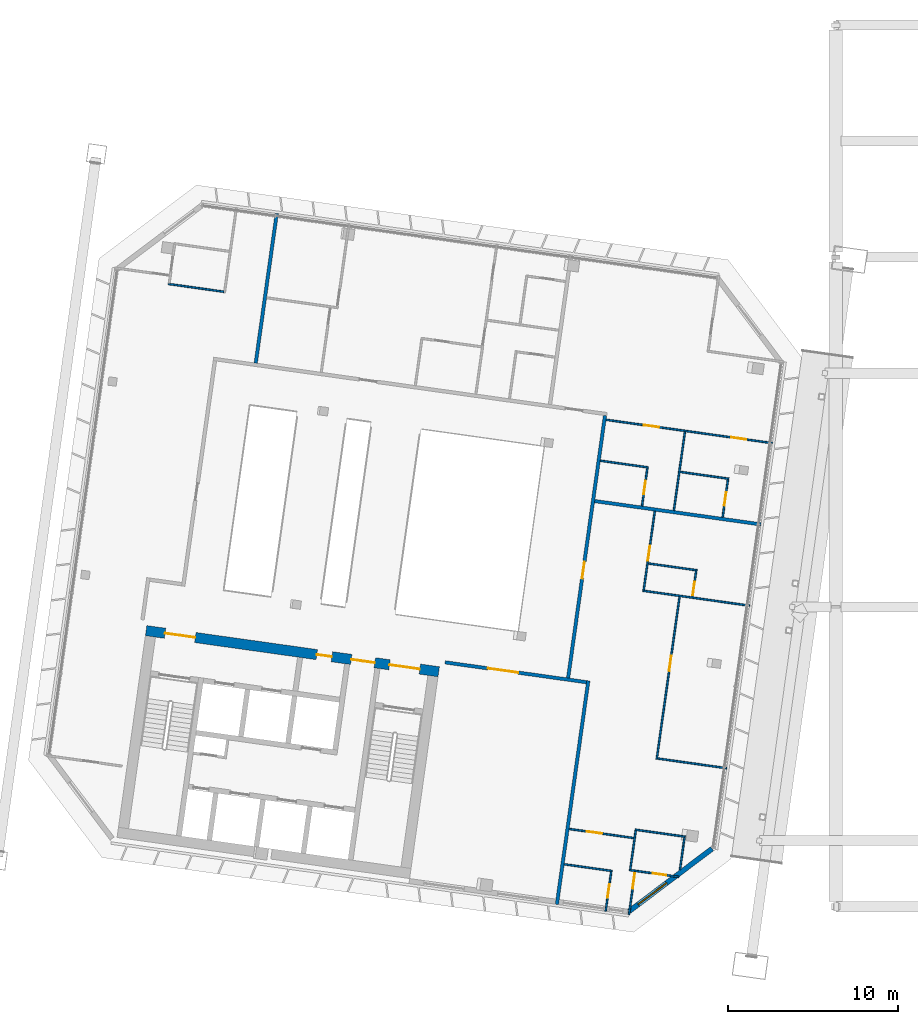
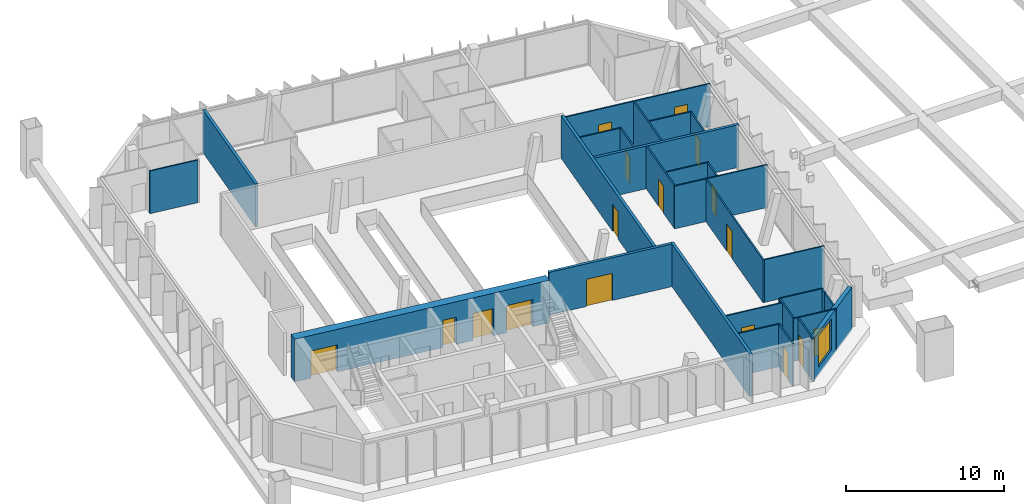
# One storey, part 22 of 36: 29 walls, 17 doors, 1 window, 18 openings.
"""IFC4 building model written with IfcOpenShell, lengths in metres."""

import ifcopenshell
import ifcopenshell.guid

model = None  # the IFC model being written
_history = None  # IfcOwnerHistory: only IFC2X3 demands one
_inside = {}  # id of a spatial element -> (the spatial element, [elements in it])
_under = {}  # id of a project, library or spatial element -> (it, [spatial elements below it])
_declared = {}  # id of a project -> (the project, [libraries it declares])
_typed = {}  # id of a type object -> (the type object, [elements of that type])
_made_of = {}  # id of a material, layer set ... -> (it, [elements and type objects made of it])


def new_model(schema):
    """Start an empty IFC model of exactly this schema.

    Asked for "IFC4X3", IfcOpenShell would pick the latest addendum, in which some entities
    have other attributes; the version numbers below select the first issue.
    IFC2X3 requires an IfcOwnerHistory on every rooted entity: one is made here for all.
    """
    global model, _history
    if schema == "IFC4X3":
        model = ifcopenshell.file(schema_version=(4, 3, 0, 0))
    else:
        model = ifcopenshell.file(schema=schema)
    _inside.clear()
    _under.clear()
    _declared.clear()
    _typed.clear()
    _made_of.clear()
    _history = None
    if model.schema == "IFC2X3":
        org = make("IfcOrganization", Name="unknown")
        user = make(
            "IfcPersonAndOrganization",
            ThePerson=make("IfcPerson", FamilyName="unknown"),
            TheOrganization=org,
        )
        app = make(
            "IfcApplication",
            ApplicationDeveloper=org,
            Version="unknown",
            ApplicationFullName="unknown",
            ApplicationIdentifier="unknown",
        )
        _history = make(
            "IfcOwnerHistory",
            OwningUser=user,
            OwningApplication=app,
            ChangeAction="ADDED",
            CreationDate=0,
        )
    return model


def make(cls, **values):
    """One entity of the class cls with the attributes given. An attribute that is None is left unset."""
    return model.create_entity(
        cls, **{name: value for name, value in values.items() if value is not None}
    )


def rooted(cls, **values):
    """An entity with a GlobalId (a new one), such as an element, a storey or a relation."""
    return make(cls, GlobalId=ifcopenshell.guid.new(), OwnerHistory=_history, **values)


def si_unit(unit_type, name, prefix=None):
    """IfcSIUnit, for example si_unit("LENGTHUNIT", "METRE", prefix="MILLI")."""
    return make("IfcSIUnit", UnitType=unit_type, Prefix=prefix, Name=name)


def assignment(units):
    """IfcUnitAssignment: the units of a project."""
    return None if units is None else make("IfcUnitAssignment", Units=units)


def point(xyz):
    """IfcCartesianPoint."""
    return None if xyz is None else make("IfcCartesianPoint", Coordinates=xyz)


def direction(xyz):
    """IfcDirection."""
    return None if xyz is None else make("IfcDirection", DirectionRatios=xyz)


def frame(location, z_axis=None, x_axis=None):
    """IfcAxis2Placement3D, a coordinate frame: its origin and axes. An axis left out is left unset."""
    return make(
        "IfcAxis2Placement3D",
        Location=point(location),
        Axis=direction(z_axis),
        RefDirection=direction(x_axis),
    )


def frame_2d(location, x_axis=None):
    """IfcAxis2Placement2D, a coordinate frame in the plane: its origin and x axis."""
    return make(
        "IfcAxis2Placement2D", Location=point(location), RefDirection=direction(x_axis)
    )


def origin():
    """The frame at (0, 0, 0) with its axes left unset."""
    return frame((0.0, 0.0, 0.0))


def place(relative_to, where):
    """IfcLocalPlacement: puts the frame where relative to a parent placement (None: the world)."""
    return make(
        "IfcLocalPlacement", PlacementRelTo=relative_to, RelativePlacement=where
    )


def context(
    kind, dimensions, precision=None, world=None, true_north=None, identifier=None
):
    """IfcGeometricRepresentationContext, for example the 3D "Model" context."""
    return make(
        "IfcGeometricRepresentationContext",
        ContextIdentifier=identifier,
        ContextType=kind,
        CoordinateSpaceDimension=dimensions,
        Precision=precision,
        WorldCoordinateSystem=world,
        TrueNorth=true_north,
    )


def subcontext(parent, identifier, kind, view, scale=None):
    """IfcGeometricRepresentationSubContext, for example "Body" below "Model"."""
    return make(
        "IfcGeometricRepresentationSubContext",
        ContextIdentifier=identifier,
        ContextType=kind,
        ParentContext=parent,
        TargetScale=scale,
        TargetView=view,
    )


def project(units=None, contexts=None):
    """IfcProject with its units and contexts."""
    return rooted(
        "IfcProject",
        Name="project",
        RepresentationContexts=contexts,
        UnitsInContext=assignment(units),
    )


def spatial(cls, under=None, at=None, **own):
    """A site, building, storey or space (cls), placed at a placement, below another one or the project."""
    s = rooted(cls, ObjectPlacement=at, **own)
    if under is not None:
        _under.setdefault(under.id(), (under, []))[1].append(s)
    return s


def profile(cls, at=None, kind="AREA", **sizes):
    """A parametric profile (cls). Its sizes go by their IFC names, for example OverallWidth=200.0."""
    return make(cls, ProfileType=kind, Position=at, **sizes)


def rectangle(**sizes):
    """IfcRectangleProfileDef."""
    return profile("IfcRectangleProfileDef", **sizes)


def extrude(swept, where, along, depth):
    """IfcExtrudedAreaSolid: the profile swept, set in the frame where, extruded along a direction by depth."""
    return make(
        "IfcExtrudedAreaSolid",
        SweptArea=swept,
        Position=where,
        ExtrudedDirection=direction(along),
        Depth=depth,
    )


def shape(context_of_items, identifier, shape_type, items):
    """IfcShapeRepresentation: the items that make up one representation, for example the "Body"."""
    return make(
        "IfcShapeRepresentation",
        ContextOfItems=context_of_items,
        RepresentationIdentifier=identifier,
        RepresentationType=shape_type,
        Items=items,
    )


def material(Name=None, Category=None):
    """IfcMaterial."""
    return make("IfcMaterial", Name=Name, Category=Category)


def layer(
    of_material, thickness, ventilated=None, Name=None, Category=None, Priority=None
):
    """IfcMaterialLayer: one layer of a wall or slab, of a material (None: an air gap)."""
    return make(
        "IfcMaterialLayer",
        Material=of_material,
        LayerThickness=thickness,
        IsVentilated=ventilated,
        Name=Name,
        Category=Category,
        Priority=Priority,
    )


def layer_set(layers, Name=None):
    """IfcMaterialLayerSet."""
    return make("IfcMaterialLayerSet", MaterialLayers=layers, LayerSetName=Name)


def made_of(thing, what):
    """Note that an element or type object is made of a material, layer set ...; save() writes the relation."""
    if what is not None:
        _made_of.setdefault(what.id(), (what, []))[1].append(thing)
    return thing


def type_object(cls, material=None, **own):
    """A type object (cls), such as IfcWallType, which elements share."""
    return made_of(rooted(cls, **own), material)


def element(
    cls,
    number,
    at=None,
    inside=None,
    cuts=None,
    type_object=None,
    material=None,
    context=None,
    identifier="Body",
    shape_type=None,
    held_by="IfcProductDefinitionShape",
    body=None,
    shapes=None,
    **own,
):
    """One element of the class cls, such as IfcWall. Its Tag is "e" and its number.

    at: its placement. inside: the storey or other place that contains it. cuts: it is an
    opening in that element (IfcRelVoidsElement). A single representation is given by context,
    identifier, shape_type and body (its items); several are given by shapes. held_by: the class
    of the entity that holds the representations. save() writes the other relations.
    """
    e = rooted(cls, Tag="e%d" % number, ObjectPlacement=at, **own)
    if body is not None:
        shapes = [shape(context, identifier, shape_type, body)]
    if shapes is not None:
        e.Representation = make(held_by, Representations=shapes)
    if inside is not None:
        _inside.setdefault(inside.id(), (inside, []))[1].append(e)
    if cuts is not None:
        rooted(
            "IfcRelVoidsElement", RelatingBuildingElement=cuts, RelatedOpeningElement=e
        )
    if type_object is not None:
        _typed.setdefault(type_object.id(), (type_object, []))[1].append(e)
    return made_of(e, material)


def fill(opening, filler):
    """IfcRelFillsElement: the door or window that sits in an opening."""
    return rooted(
        "IfcRelFillsElement",
        RelatingOpeningElement=opening,
        RelatedBuildingElement=filler,
    )


def aggregate(whole, parts):
    """IfcRelAggregates: a whole, such as a stair, and the parts it consists of."""
    return rooted("IfcRelAggregates", RelatingObject=whole, RelatedObjects=parts)


def save(model, path):
    """Write the relations noted so far, then the file.

    IfcRelAggregates (storeys below a building ...), IfcRelContainedInSpatialStructure (elements
    in a storey), IfcRelDefinesByType, IfcRelAssociatesMaterial and IfcRelDeclares: one each for
    every whole, place, type object, material and project.
    """
    for whole, parts in _under.values():
        aggregate(whole, parts)
    for where, things in _inside.values():
        rooted(
            "IfcRelContainedInSpatialStructure",
            RelatedElements=things,
            RelatingStructure=where,
        )
    for kind, things in _typed.values():
        rooted("IfcRelDefinesByType", RelatedObjects=things, RelatingType=kind)
    for what, things in _made_of.values():
        rooted("IfcRelAssociatesMaterial", RelatedObjects=things, RelatingMaterial=what)
    for by, libraries in _declared.values():
        rooted("IfcRelDeclares", RelatingContext=by, RelatedDefinitions=libraries)
    model.write(path)


model = new_model("IFC4")

# Units and contexts
model_context = context("Model", 3, precision=1e-05, world=origin(), true_north=direction((0.0, 1.0)))
body_context = subcontext(model_context, "Body", "Model", "MODEL_VIEW")
ifc_project = project(units=[si_unit("LENGTHUNIT", "METRE"), si_unit("AREAUNIT", "SQUARE_METRE"), si_unit("VOLUMEUNIT", "CUBIC_METRE"), si_unit("PLANEANGLEUNIT", "RADIAN"), si_unit("MASSUNIT", "GRAM", prefix="KILO")], contexts=[model_context])

# Site, building, storey
site_placement = place(None, origin())
site = spatial("IfcSite", under=ifc_project, at=site_placement, CompositionType="ELEMENT")
building_placement = place(site_placement, origin())
building = spatial("IfcBuilding", under=site, at=building_placement, Name="Mirante Cascada Hotel Towers", CompositionType="ELEMENT")
storey_placement = place(building_placement, frame((0.0, 0.0, 254.6)))
storey = spatial("IfcBuildingStorey", under=building, at=storey_placement, Name="L61", CompositionType="ELEMENT", Elevation=254.6)

# Wall, opening, door
ifc_material_1 = material(Name="Fire-rated plasterboard on metal studs")
ifc_layer_1 = layer(ifc_material_1, 0.2)
ifc_layer_set_1 = layer_set([ifc_layer_1], Name="Compartment wall 200 EI 120")
wall_type_1 = type_object("IfcWallType", Name="Compartment wall 200 EI 120", PredefinedType="PARTITIONING", material=ifc_layer_set_1)
wall_1_placement = place(storey_placement, frame((-35.2634, -7.1173, 0.0), z_axis=(0.0, 0.0, 1.0), x_axis=(0.9902688, -0.1391676, 0.0)))
wall_1 = element("IfcWall", 1, at=wall_1_placement, inside=storey, type_object=wall_type_1, Name="Wall 1-L61-07", PredefinedType="PARTITIONING", context=body_context, shape_type="SweptSolid", body=[
    extrude(rectangle(XDim=8.3999, YDim=0.2, at=frame_2d((4.2, 0.0))), origin(), (0.0, 0.0, 1.0), 3.3),
])
opening_1_placement = place(wall_1_placement, frame((2.55, 0.0, 0.0)))
opening_1 = element("IfcOpeningElement", 2, at=opening_1_placement, cuts=wall_1, Name="Opening D1-L61-04", PredefinedType="OPENING", context=body_context, shape_type="SweptSolid", body=[
    extrude(rectangle(XDim=1.8, YDim=2.1, at=frame_2d((0.9, 1.05))), frame((0.0, 0.1, 0.0), z_axis=(0.0, -1.0, 0.0), x_axis=(1.0, 0.0, 0.0)), (0.0, 0.0, 1.0), 0.2),
])
ifc_material_2 = material(Name="Fire-rated timber door leaf", Category="wood")
door_type_1 = type_object("IfcDoorType", Name="Suite double door DG2 1800x2100 EI 60", OperationType="DOUBLE_DOOR_SINGLE_SWING", PredefinedType="DOOR", material=ifc_material_2)
door_1_placement = place(opening_1_placement, origin())
door_1 = element("IfcDoor", 3, at=door_1_placement, inside=storey, type_object=door_type_1, Name="Door D1-L61-04", OperationType="DOUBLE_DOOR_SINGLE_SWING", OverallHeight=2.1, OverallWidth=1.8, PredefinedType="DOOR", context=body_context, shape_type="SweptSolid", body=[
    extrude(rectangle(XDim=0.895, YDim=2.1, at=frame_2d((0.4475, 1.05))), frame((0.0, 0.025, 0.0), z_axis=(0.0, -1.0, 0.0), x_axis=(1.0, 0.0, 0.0)), (0.0, 0.0, 1.0), 0.05),
    extrude(rectangle(XDim=0.895, YDim=2.1, at=frame_2d((1.3525, 1.05))), frame((0.0, 0.025, 0.0), z_axis=(0.0, -1.0, 0.0), x_axis=(1.0, 0.0, 0.0)), (0.0, 0.0, 1.0), 0.05),
])
fill(opening_1, door_1)

# Walls
wall_2_placement = place(storey_placement, frame((-26.4556, 2.3827, 0.0), z_axis=(0.0, 0.0, 1.0), x_axis=(0.9902671, -0.1391797, 0.0)))
element("IfcWall", 4, at=wall_2_placement, inside=storey, type_object=wall_type_1, Name="Wall 1-L61-11", PredefinedType="PARTITIONING", context=body_context, shape_type="SweptSolid", body=[
    extrude(rectangle(XDim=9.8879, YDim=0.2, at=frame_2d((4.944, 0.0))), origin(), (0.0, 0.0, 1.0), 3.3),
])
wall_3_placement = place(storey_placement, frame((-26.8322, -8.2012, 0.0), z_axis=(0.0, 0.0, 1.0), x_axis=(-0.1391726, -0.9902681, 0.0)))
element("IfcWall", 5, at=wall_3_placement, inside=storey, type_object=wall_type_1, Name="Wall 1-L61-37", PredefinedType="PARTITIONING", context=body_context, shape_type="SweptSolid", body=[
    extrude(rectangle(XDim=13.3, YDim=0.2, at=frame_2d((6.65, 0.0))), origin(), (0.0, 0.0, 1.0), 3.3),
])

# Wall, opening, door
wall_4_placement = place(storey_placement, frame((-28.0205, -8.0342, 0.0), z_axis=(0.0, 0.0, 1.0), x_axis=(0.1391729, 0.9902681, 0.0)))
wall_4 = element("IfcWall", 6, at=wall_4_placement, inside=storey, type_object=wall_type_1, Name="Wall 1-L61-38", PredefinedType="PARTITIONING", context=body_context, shape_type="SweptSolid", body=[
    extrude(rectangle(XDim=15.6, YDim=0.2, at=frame_2d((7.8, 0.0))), origin(), (0.0, 0.0, 1.0), 3.3),
])
opening_2_placement = place(wall_4_placement, frame((5.9167, 0.0, 0.0)))
opening_2 = element("IfcOpeningElement", 7, at=opening_2_placement, cuts=wall_4, Name="Opening D1-L61-21", PredefinedType="OPENING", context=body_context, shape_type="SweptSolid", body=[
    extrude(rectangle(XDim=1.0, YDim=2.1, at=frame_2d((0.5, 1.05))), frame((0.0, 0.1, 0.0), z_axis=(0.0, -1.0, 0.0), x_axis=(1.0, 0.0, 0.0)), (0.0, 0.0, 1.0), 0.2),
])
ifc_material_3 = material(Name="Fire-rated timber door leaf", Category="wood")
door_type_2 = type_object("IfcDoorType", Name="Entrance door DG1 1000x2100 EI 60", OperationType="SINGLE_SWING_LEFT", PredefinedType="DOOR", material=ifc_material_3)
door_2_placement = place(opening_2_placement, frame((1.0, 0.0, 0.0), z_axis=(0.0, 0.0, 1.0), x_axis=(-1.0, 0.0, 0.0)))
door_2 = element("IfcDoor", 8, at=door_2_placement, inside=storey, type_object=door_type_2, Name="Door D1-L61-21", OperationType="SINGLE_SWING_RIGHT", OverallHeight=2.1, OverallWidth=1.0, PredefinedType="DOOR", context=body_context, shape_type="SweptSolid", body=[
    extrude(rectangle(XDim=1.0, YDim=2.1, at=frame_2d((0.5, 1.05))), frame((0.0, 0.025, 0.0), z_axis=(0.0, -1.0, 0.0), x_axis=(1.0, 0.0, 0.0)), (0.0, 0.0, 1.0), 0.05),
])
fill(opening_2, door_2)

# Walls
wall_5_placement = place(storey_placement, frame((-46.4192, 10.5068, 0.0), z_axis=(0.0, 0.0, 1.0), x_axis=(0.1391794, 0.9902672, 0.0)))
element("IfcWall", 9, at=wall_5_placement, inside=storey, type_object=wall_type_1, Name="Wall 1-L61-46", PredefinedType="PARTITIONING", context=body_context, shape_type="SweptSolid", body=[
    extrude(rectangle(XDim=8.9, YDim=0.2, at=frame_2d((4.45, 0.0))), origin(), (0.0, 0.0, 1.0), 3.3),
])
ifc_material_4 = material(Name="Plasterboard on metal studs")
ifc_layer_2 = layer(ifc_material_4, 0.1)
ifc_layer_set_2 = layer_set([ifc_layer_2], Name="Partition 100")
wall_type_2 = type_object("IfcWallType", Name="Partition 100", PredefinedType="PARTITIONING", material=ifc_layer_set_2)
wall_6_placement = place(storey_placement, frame((-28.2502, -19.0091, 0.0), z_axis=(0.0, 0.0, 1.0), x_axis=(0.9902704, -0.1391564, 0.0)))
element("IfcWall", 10, at=wall_6_placement, inside=storey, type_object=wall_type_2, Name="Wall 1-L61-01", PredefinedType="PARTITIONING", context=body_context, shape_type="SweptSolid", body=[
    extrude(rectangle(XDim=2.85, YDim=0.1, at=frame_2d((1.425, 0.0))), origin(), (0.0, 0.0, 1.0), 3.3),
])

# Wall, opening, door
wall_7_placement = place(storey_placement, frame((-21.4946, -19.7565, 0.0), z_axis=(0.0, 0.0, 1.0), x_axis=(-0.9902703, 0.1391572, 0.0)))
wall_7 = element("IfcWall", 11, at=wall_7_placement, inside=storey, type_object=wall_type_2, Name="Wall 1-L61-02", PredefinedType="PARTITIONING", context=body_context, shape_type="SweptSolid", body=[
    extrude(rectangle(XDim=2.9499, YDim=0.1, at=frame_2d((1.475, 0.0))), origin(), (0.0, 0.0, 1.0), 3.3),
])
opening_3_placement = place(wall_7_placement, frame((0.75, 0.0, 0.0)))
opening_3 = element("IfcOpeningElement", 12, at=opening_3_placement, cuts=wall_7, Name="Opening D1-L61-01", PredefinedType="OPENING", context=body_context, shape_type="SweptSolid", body=[
    extrude(rectangle(XDim=0.8, YDim=2.1, at=frame_2d((0.4, 1.05))), frame((0.0, 0.05, 0.0), z_axis=(0.0, -1.0, 0.0), x_axis=(1.0, 0.0, 0.0)), (0.0, 0.0, 1.0), 0.1),
])
ifc_material_5 = material(Name="Timber door leaf", Category="wood")
door_type_3 = type_object("IfcDoorType", Name="Bathroom door DG4 800x2100", OperationType="SINGLE_SWING_LEFT", PredefinedType="DOOR", material=ifc_material_5)
door_3_placement = place(opening_3_placement, frame((0.8, 0.0, 0.0), z_axis=(0.0, 0.0, 1.0), x_axis=(-1.0, 0.0, 0.0)))
door_3 = element("IfcDoor", 13, at=door_3_placement, inside=storey, type_object=door_type_3, Name="Door D1-L61-01", OperationType="SINGLE_SWING_RIGHT", OverallHeight=2.1, OverallWidth=0.8, PredefinedType="DOOR", context=body_context, shape_type="SweptSolid", body=[
    extrude(rectangle(XDim=0.8, YDim=2.1, at=frame_2d((0.4, 1.05))), frame((0.0, 0.025, 0.0), z_axis=(0.0, -1.0, 0.0), x_axis=(1.0, 0.0, 0.0)), (0.0, 0.0, 1.0), 0.05),
])
fill(opening_3, door_3)

wall_8_placement = place(storey_placement, frame((-27.9579, -16.9295, 0.0), z_axis=(0.0, 0.0, 1.0), x_axis=(0.9902669, -0.1391811, 0.0)))
wall_8 = element("IfcWall", 14, at=wall_8_placement, inside=storey, type_object=wall_type_2, Name="Wall 1-L61-03", PredefinedType="PARTITIONING", context=body_context, shape_type="SweptSolid", body=[
    extrude(rectangle(XDim=3.8439, YDim=0.1, at=frame_2d((1.922, 0.0))), origin(), (0.0, 0.0, 1.0), 3.3),
])
opening_4_placement = place(wall_8_placement, frame((1.047, 0.0, 0.0)))
opening_4 = element("IfcOpeningElement", 15, at=opening_4_placement, cuts=wall_8, Name="Opening D1-L61-02", PredefinedType="OPENING", context=body_context, shape_type="SweptSolid", body=[
    extrude(rectangle(XDim=0.9, YDim=2.1, at=frame_2d((0.45, 1.05))), frame((0.0, 0.05, 0.0), z_axis=(0.0, -1.0, 0.0), x_axis=(1.0, 0.0, 0.0)), (0.0, 0.0, 1.0), 0.1),
])
ifc_material_6 = material(Name="Timber door leaf", Category="wood")
door_type_4 = type_object("IfcDoorType", Name="Room door DG3 900x2100", OperationType="SINGLE_SWING_LEFT", PredefinedType="DOOR", material=ifc_material_6)
door_4_placement = place(opening_4_placement, origin())
door_4 = element("IfcDoor", 16, at=door_4_placement, inside=storey, type_object=door_type_4, Name="Door D1-L61-02", OperationType="SINGLE_SWING_LEFT", OverallHeight=2.1, OverallWidth=0.9, PredefinedType="DOOR", context=body_context, shape_type="SweptSolid", body=[
    extrude(rectangle(XDim=0.9, YDim=2.1, at=frame_2d((0.45, 1.05))), frame((0.0, 0.025, 0.0), z_axis=(0.0, -1.0, 0.0), x_axis=(1.0, 0.0, 0.0)), (0.0, 0.0, 1.0), 0.05),
])
fill(opening_4, door_4)

# Walls
wall_9_placement = place(storey_placement, frame((-24.0818, -16.9693, 0.0), z_axis=(0.0, 0.0, 1.0), x_axis=(0.9902689, -0.139167, 0.0)))
element("IfcWall", 17, at=wall_9_placement, inside=storey, type_object=wall_type_2, Name="Wall 1-L61-05", PredefinedType="PARTITIONING", context=body_context, shape_type="SweptSolid", body=[
    extrude(rectangle(XDim=3.0, YDim=0.1, at=frame_2d((1.5, 0.0))), origin(), (0.0, 0.0, 1.0), 3.3),
])
wall_10_placement = place(storey_placement, frame((-18.6819, -13.3524, 0.0), z_axis=(0.0, 0.0, 1.0), x_axis=(-0.9902656, 0.1391906, 0.0)))
element("IfcWall", 18, at=wall_10_placement, inside=storey, type_object=wall_type_2, Name="Wall 1-L61-06", PredefinedType="PARTITIONING", context=body_context, shape_type="SweptSolid", body=[
    extrude(rectangle(XDim=4.1052, YDim=0.1, at=frame_2d((2.0526, 0.0))), origin(), (0.0, 0.0, 1.0), 3.3),
])
wall_11_placement = place(storey_placement, frame((-23.6248, -2.896, 0.0), z_axis=(0.0, 0.0, 1.0), x_axis=(0.9902691, -0.1391656, 0.0)))
element("IfcWall", 19, at=wall_11_placement, inside=storey, type_object=wall_type_2, Name="Wall 1-L61-09", PredefinedType="PARTITIONING", context=body_context, shape_type="SweptSolid", body=[
    extrude(rectangle(XDim=6.35, YDim=0.1, at=frame_2d((3.175, 0.0))), origin(), (0.0, 0.0, 1.0), 3.3),
])
for number, where, z_axis, x_axis, name in (
    (20, (-20.4266, -1.6961, 0.0), (0.0, 0.0, 1.0), (-0.9902683, 0.1391714, 0.0), "Wall 1-L61-10"),
    (21, (-18.552, 3.6955, 0.0), (0.0, 0.0, 1.0), (-0.9902683, 0.1391714, 0.0), "Wall 1-L61-12"),
):
    element("IfcWall", number, at=place(storey_placement, frame(where, z_axis=z_axis, x_axis=x_axis)), inside=storey, type_object=wall_type_2, Name=name, PredefinedType="PARTITIONING", context=body_context, shape_type="SweptSolid", body=[
        extrude(rectangle(XDim=2.9, YDim=0.1, at=frame_2d((1.45, 0.0))), origin(), (0.0, 0.0, 1.0), 3.3),
    ])
wall_12_placement = place(storey_placement, frame((-26.1215, 4.7593, 0.0), z_axis=(0.0, 0.0, 1.0), x_axis=(0.9902697, -0.1391613, 0.0)))
element("IfcWall", 22, at=wall_12_placement, inside=storey, type_object=wall_type_2, Name="Wall 1-L61-13", PredefinedType="PARTITIONING", context=body_context, shape_type="SweptSolid", body=[
    extrude(rectangle(XDim=2.8499, YDim=0.1, at=frame_2d((1.425, 0.0))), origin(), (0.0, 0.0, 1.0), 3.3),
])

# Wall, openings, doors
wall_13_placement = place(storey_placement, frame((-15.9912, 5.7929, 0.0), z_axis=(0.0, 0.0, 1.0), x_axis=(-0.9902685, 0.1391698, 0.0)))
wall_13 = element("IfcWall", 23, at=wall_13_placement, inside=storey, type_object=wall_type_2, Name="Wall 1-L61-14", PredefinedType="PARTITIONING", context=body_context, shape_type="SweptSolid", body=[
    extrude(rectangle(XDim=9.8879, YDim=0.1, at=frame_2d((4.944, 0.0))), origin(), (0.0, 0.0, 1.0), 3.3),
])
opening_5_placement = place(wall_13_placement, frame((1.547, 0.0, 0.0)))
opening_5 = element("IfcOpeningElement", 24, at=opening_5_placement, cuts=wall_13, Name="Opening D1-L61-05", PredefinedType="OPENING", context=body_context, shape_type="SweptSolid", body=[
    extrude(rectangle(XDim=0.9, YDim=2.1, at=frame_2d((0.45, 1.05))), frame((0.0, 0.05, 0.0), z_axis=(0.0, -1.0, 0.0), x_axis=(1.0, 0.0, 0.0)), (0.0, 0.0, 1.0), 0.1),
])
opening_6_placement = place(wall_13_placement, frame((6.7409, 0.0, 0.0)))
opening_6 = element("IfcOpeningElement", 25, at=opening_6_placement, cuts=wall_13, Name="Opening D1-L61-06", PredefinedType="OPENING", context=body_context, shape_type="SweptSolid", body=[
    extrude(rectangle(XDim=0.9, YDim=2.1, at=frame_2d((0.45, 1.05))), frame((0.0, 0.05, 0.0), z_axis=(0.0, -1.0, 0.0), x_axis=(1.0, 0.0, 0.0)), (0.0, 0.0, 1.0), 0.1),
])
door_5_placement = place(opening_5_placement, frame((0.9, 0.0, 0.0), z_axis=(0.0, 0.0, 1.0), x_axis=(-1.0, 0.0, 0.0)))
door_5 = element("IfcDoor", 26, at=door_5_placement, inside=storey, type_object=door_type_4, Name="Door D1-L61-05", OperationType="SINGLE_SWING_RIGHT", OverallHeight=2.1, OverallWidth=0.9, PredefinedType="DOOR", context=body_context, shape_type="SweptSolid", body=[
    extrude(rectangle(XDim=0.9, YDim=2.1, at=frame_2d((0.45, 1.05))), frame((0.0, 0.025, 0.0), z_axis=(0.0, -1.0, 0.0), x_axis=(1.0, 0.0, 0.0)), (0.0, 0.0, 1.0), 0.05),
])
fill(opening_5, door_5)
door_6_placement = place(opening_6_placement, frame((0.9, 0.0, 0.0), z_axis=(0.0, 0.0, 1.0), x_axis=(-1.0, 0.0, 0.0)))
door_6 = element("IfcDoor", 27, at=door_6_placement, inside=storey, type_object=door_type_4, Name="Door D1-L61-06", OperationType="SINGLE_SWING_RIGHT", OverallHeight=2.1, OverallWidth=0.9, PredefinedType="DOOR", context=body_context, shape_type="SweptSolid", body=[
    extrude(rectangle(XDim=0.9, YDim=2.1, at=frame_2d((0.45, 1.05))), frame((0.0, 0.025, 0.0), z_axis=(0.0, -1.0, 0.0), x_axis=(1.0, 0.0, 0.0)), (0.0, 0.0, 1.0), 0.05),
])
fill(opening_6, door_6)

# Walls
wall_14_placement = place(storey_placement, frame((-51.5704, 15.1691, 0.0), z_axis=(0.0, 0.0, 1.0), x_axis=(0.9902664, -0.1391852, 0.0)))
element("IfcWall", 28, at=wall_14_placement, inside=storey, type_object=wall_type_2, Name="Wall 1-L61-19", PredefinedType="PARTITIONING", context=body_context, shape_type="SweptSolid", body=[
    extrude(rectangle(XDim=3.2999, YDim=0.1, at=frame_2d((1.65, 0.0))), origin(), (0.0, 0.0, 1.0), 3.3),
])
wall_15_placement = place(storey_placement, frame((-21.2343, -17.9047, 0.0), z_axis=(0.0, 0.0, 1.0), x_axis=(-0.1391942, -0.9902651, 0.0)))
element("IfcWall", 29, at=wall_15_placement, inside=storey, type_object=wall_type_2, Name="Wall 1-L61-25", PredefinedType="PARTITIONING", context=body_context, shape_type="SweptSolid", body=[
    extrude(rectangle(XDim=1.4397, YDim=0.1, at=frame_2d((0.7198, 0.0))), origin(), (0.0, 0.0, 1.0), 3.3),
])
wall_16_placement = place(storey_placement, frame((-21.2301, -17.875, 0.0), z_axis=(0.0, 0.0, 1.0), x_axis=(0.1391186, 0.9902757, 0.0)))
element("IfcWall", 30, at=wall_16_placement, inside=storey, type_object=wall_type_2, Name="Wall 1-L61-26", PredefinedType="PARTITIONING", context=body_context, shape_type="SweptSolid", body=[
    extrude(rectangle(XDim=0.45, YDim=0.1, at=frame_2d((0.225, 0.0))), origin(), (0.0, 0.0, 1.0), 3.3),
])

# Wall, opening, door
wall_17_placement = place(storey_placement, frame((-18.6085, 3.6529, 0.0), z_axis=(0.0, 0.0, 1.0), x_axis=(-0.1391561, -0.9902705, 0.0)))
wall_17 = element("IfcWall", 31, at=wall_17_placement, inside=storey, type_object=wall_type_2, Name="Wall 1-L61-27", PredefinedType="PARTITIONING", context=body_context, shape_type="SweptSolid", body=[
    extrude(rectangle(XDim=2.25, YDim=0.1, at=frame_2d((1.125, 0.0))), origin(), (0.0, 0.0, 1.0), 3.3),
])
opening_7_placement = place(wall_17_placement, frame((0.75, 0.0, 0.0)))
opening_7 = element("IfcOpeningElement", 32, at=opening_7_placement, cuts=wall_17, Name="Opening D1-L61-13", PredefinedType="OPENING", context=body_context, shape_type="SweptSolid", body=[
    extrude(rectangle(XDim=0.8, YDim=2.1, at=frame_2d((0.4, 1.05))), frame((0.0, 0.05, 0.0), z_axis=(0.0, -1.0, 0.0), x_axis=(1.0, 0.0, 0.0)), (0.0, 0.0, 1.0), 0.1),
])
door_7_placement = place(opening_7_placement, frame((0.8, 0.0, 0.0), z_axis=(0.0, 0.0, 1.0), x_axis=(-1.0, 0.0, 0.0)))
door_7 = element("IfcDoor", 33, at=door_7_placement, inside=storey, type_object=door_type_3, Name="Door D1-L61-13", OperationType="SINGLE_SWING_RIGHT", OverallHeight=2.1, OverallWidth=0.8, PredefinedType="DOOR", context=body_context, shape_type="SweptSolid", body=[
    extrude(rectangle(XDim=0.8, YDim=2.1, at=frame_2d((0.4, 1.05))), frame((0.0, 0.025, 0.0), z_axis=(0.0, -1.0, 0.0), x_axis=(1.0, 0.0, 0.0)), (0.0, 0.0, 1.0), 0.05),
])
fill(opening_7, door_7)

wall_18_placement = place(storey_placement, frame((-20.6965, -3.257, 0.0), z_axis=(0.0, 0.0, 1.0), x_axis=(0.1391839, 0.9902666, 0.0)))
wall_18 = element("IfcWall", 34, at=wall_18_placement, inside=storey, type_object=wall_type_2, Name="Wall 1-L61-28", PredefinedType="PARTITIONING", context=body_context, shape_type="SweptSolid", body=[
    extrude(rectangle(XDim=1.5332, YDim=0.1, at=frame_2d((0.7666, 0.0))), origin(), (0.0, 0.0, 1.0), 3.3),
])
opening_8_placement = place(wall_18_placement, frame((0.1, 0.0, 0.0)))
opening_8 = element("IfcOpeningElement", 35, at=opening_8_placement, cuts=wall_18, Name="Opening D1-L61-14", PredefinedType="OPENING", context=body_context, shape_type="SweptSolid", body=[
    extrude(rectangle(XDim=0.8, YDim=2.1, at=frame_2d((0.4, 1.05))), frame((0.0, 0.05, 0.0), z_axis=(0.0, -1.0, 0.0), x_axis=(1.0, 0.0, 0.0)), (0.0, 0.0, 1.0), 0.1),
])
door_8_placement = place(opening_8_placement, frame((0.8, 0.0, 0.0), z_axis=(0.0, 0.0, 1.0), x_axis=(-1.0, 0.0, 0.0)))
door_8 = element("IfcDoor", 36, at=door_8_placement, inside=storey, type_object=door_type_3, Name="Door D1-L61-14", OperationType="SINGLE_SWING_RIGHT", OverallHeight=2.1, OverallWidth=0.8, PredefinedType="DOOR", context=body_context, shape_type="SweptSolid", body=[
    extrude(rectangle(XDim=0.8, YDim=2.1, at=frame_2d((0.4, 1.05))), frame((0.0, 0.025, 0.0), z_axis=(0.0, -1.0, 0.0), x_axis=(1.0, 0.0, 0.0)), (0.0, 0.0, 1.0), 0.05),
])
fill(opening_8, door_8)

wall_19_placement = place(storey_placement, frame((-21.4583, -3.251, 0.0), z_axis=(0.0, 0.0, 1.0), x_axis=(-0.1391689, -0.9902687, 0.0)))
wall_19 = element("IfcWall", 37, at=wall_19_placement, inside=storey, type_object=wall_type_2, Name="Wall 1-L61-29", PredefinedType="PARTITIONING", context=body_context, shape_type="SweptSolid", body=[
    extrude(rectangle(XDim=9.6667, YDim=0.1, at=frame_2d((4.8334, 0.0))), origin(), (0.0, 0.0, 1.0), 3.3),
])
opening_9_placement = place(wall_19_placement, frame((3.5167, 0.0, 0.0)))
opening_9 = element("IfcOpeningElement", 38, at=opening_9_placement, cuts=wall_19, Name="Opening D1-L61-15", PredefinedType="OPENING", context=body_context, shape_type="SweptSolid", body=[
    extrude(rectangle(XDim=0.9, YDim=2.1, at=frame_2d((0.45, 1.05))), frame((0.0, 0.05, 0.0), z_axis=(0.0, -1.0, 0.0), x_axis=(1.0, 0.0, 0.0)), (0.0, 0.0, 1.0), 0.1),
])
door_9_placement = place(opening_9_placement, frame((0.9, 0.0, 0.0), z_axis=(0.0, 0.0, 1.0), x_axis=(-1.0, 0.0, 0.0)))
door_9 = element("IfcDoor", 39, at=door_9_placement, inside=storey, type_object=door_type_4, Name="Door D1-L61-15", OperationType="SINGLE_SWING_RIGHT", OverallHeight=2.1, OverallWidth=0.9, PredefinedType="DOOR", context=body_context, shape_type="SweptSolid", body=[
    extrude(rectangle(XDim=0.9, YDim=2.1, at=frame_2d((0.45, 1.05))), frame((0.0, 0.025, 0.0), z_axis=(0.0, -1.0, 0.0), x_axis=(1.0, 0.0, 0.0)), (0.0, 0.0, 1.0), 0.05),
])
fill(opening_9, door_9)

wall_20_placement = place(storey_placement, frame((-24.437, -21.9685, 0.0), z_axis=(0.0, 0.0, 1.0), x_axis=(0.1391425, 0.9902724, 0.0)))
wall_20 = element("IfcWall", 40, at=wall_20_placement, inside=storey, type_object=wall_type_2, Name="Wall 1-L61-30", PredefinedType="PARTITIONING", context=body_context, shape_type="SweptSolid", body=[
    extrude(rectangle(XDim=2.5499, YDim=0.1, at=frame_2d((1.275, 0.0))), origin(), (0.0, 0.0, 1.0), 3.3),
])
opening_10_placement = place(wall_20_placement, frame((1.55, 0.0, 0.0)))
opening_10 = element("IfcOpeningElement", 41, at=opening_10_placement, cuts=wall_20, Name="Opening D1-L61-16", PredefinedType="OPENING", context=body_context, shape_type="SweptSolid", body=[
    extrude(rectangle(XDim=0.9, YDim=2.1, at=frame_2d((0.45, 1.05))), frame((0.0, 0.05, 0.0), z_axis=(0.0, -1.0, 0.0), x_axis=(1.0, 0.0, 0.0)), (0.0, 0.0, 1.0), 0.1),
])
door_10_placement = place(opening_10_placement, origin())
door_10 = element("IfcDoor", 42, at=door_10_placement, inside=storey, type_object=door_type_4, Name="Door D1-L61-16", OperationType="SINGLE_SWING_LEFT", OverallHeight=2.1, OverallWidth=0.9, PredefinedType="DOOR", context=body_context, shape_type="SweptSolid", body=[
    extrude(rectangle(XDim=0.9, YDim=2.1, at=frame_2d((0.45, 1.05))), frame((0.0, 0.025, 0.0), z_axis=(0.0, -1.0, 0.0), x_axis=(1.0, 0.0, 0.0)), (0.0, 0.0, 1.0), 0.05),
])
fill(opening_10, door_10)

# Walls
wall_21_placement = place(storey_placement, frame((-24.3594, -19.3034, 0.0), z_axis=(0.0, 0.0, 1.0), x_axis=(0.1391749, 0.9902678, 0.0)))
element("IfcWall", 43, at=wall_21_placement, inside=storey, type_object=wall_type_2, Name="Wall 1-L61-32", PredefinedType="PARTITIONING", context=body_context, shape_type="SweptSolid", body=[
    extrude(rectangle(XDim=2.3, YDim=0.1, at=frame_2d((1.15, 0.0))), origin(), (0.0, 0.0, 1.0), 3.3),
])
wall_22_placement = place(storey_placement, frame((-21.1416, 6.4662, 0.0), z_axis=(0.0, 0.0, 1.0), x_axis=(-0.139173, -0.9902681, 0.0)))
element("IfcWall", 44, at=wall_22_placement, inside=storey, type_object=wall_type_2, Name="Wall 1-L61-33", PredefinedType="PARTITIONING", context=body_context, shape_type="SweptSolid", body=[
    extrude(rectangle(XDim=4.6834, YDim=0.1, at=frame_2d((2.3417, 0.0))), origin(), (0.0, 0.0, 1.0), 3.3),
])

# Wall, opening, door
wall_23_placement = place(storey_placement, frame((-25.8114, -21.7754, 0.0), z_axis=(0.0, 0.0, 1.0), x_axis=(0.1391512, 0.9902712, 0.0)))
wall_23 = element("IfcWall", 45, at=wall_23_placement, inside=storey, type_object=wall_type_2, Name="Wall 1-L61-34", PredefinedType="PARTITIONING", context=body_context, shape_type="SweptSolid", body=[
    extrude(rectangle(XDim=2.35, YDim=0.1, at=frame_2d((1.175, 0.0))), origin(), (0.0, 0.0, 1.0), 3.3),
])
opening_11_placement = place(wall_23_placement, frame((0.8, 0.0, 0.0)))
opening_11 = element("IfcOpeningElement", 46, at=opening_11_placement, cuts=wall_23, Name="Opening D1-L61-18", PredefinedType="OPENING", context=body_context, shape_type="SweptSolid", body=[
    extrude(rectangle(XDim=0.8, YDim=2.1, at=frame_2d((0.4, 1.05))), frame((0.0, 0.05, 0.0), z_axis=(0.0, -1.0, 0.0), x_axis=(1.0, 0.0, 0.0)), (0.0, 0.0, 1.0), 0.1),
])
door_11_placement = place(opening_11_placement, frame((0.8, 0.0, 0.0), z_axis=(0.0, 0.0, 1.0), x_axis=(-1.0, 0.0, 0.0)))
door_11 = element("IfcDoor", 47, at=door_11_placement, inside=storey, type_object=door_type_3, Name="Door D1-L61-18", OperationType="SINGLE_SWING_RIGHT", OverallHeight=2.1, OverallWidth=0.8, PredefinedType="DOOR", context=body_context, shape_type="SweptSolid", body=[
    extrude(rectangle(XDim=0.8, YDim=2.1, at=frame_2d((0.4, 1.05))), frame((0.0, 0.025, 0.0), z_axis=(0.0, -1.0, 0.0), x_axis=(1.0, 0.0, 0.0)), (0.0, 0.0, 1.0), 0.05),
])
fill(opening_11, door_11)

wall_24_placement = place(storey_placement, frame((-22.9165, 1.7843, 0.0), z_axis=(0.0, 0.0, 1.0), x_axis=(-0.139176, -0.9902677, 0.0)))
wall_24 = element("IfcWall", 48, at=wall_24_placement, inside=storey, type_object=wall_type_2, Name="Wall 1-L61-35", PredefinedType="PARTITIONING", context=body_context, shape_type="SweptSolid", body=[
    extrude(rectangle(XDim=4.6833, YDim=0.1, at=frame_2d((2.3416, 0.0))), origin(), (0.0, 0.0, 1.0), 3.3),
])
opening_12_placement = place(wall_24_placement, frame((2.05, 0.0, 0.0)))
opening_12 = element("IfcOpeningElement", 49, at=opening_12_placement, cuts=wall_24, Name="Opening D1-L61-19", PredefinedType="OPENING", context=body_context, shape_type="SweptSolid", body=[
    extrude(rectangle(XDim=0.9, YDim=2.1, at=frame_2d((0.45, 1.05))), frame((0.0, 0.05, 0.0), z_axis=(0.0, -1.0, 0.0), x_axis=(1.0, 0.0, 0.0)), (0.0, 0.0, 1.0), 0.1),
])
door_12_placement = place(opening_12_placement, frame((0.9, 0.0, 0.0), z_axis=(0.0, 0.0, 1.0), x_axis=(-1.0, 0.0, 0.0)))
door_12 = element("IfcDoor", 50, at=door_12_placement, inside=storey, type_object=door_type_4, Name="Door D1-L61-19", OperationType="SINGLE_SWING_RIGHT", OverallHeight=2.1, OverallWidth=0.9, PredefinedType="DOOR", context=body_context, shape_type="SweptSolid", body=[
    extrude(rectangle(XDim=0.9, YDim=2.1, at=frame_2d((0.45, 1.05))), frame((0.0, 0.025, 0.0), z_axis=(0.0, -1.0, 0.0), x_axis=(1.0, 0.0, 0.0)), (0.0, 0.0, 1.0), 0.05),
])
fill(opening_12, door_12)

wall_25_placement = place(storey_placement, frame((-23.6689, 2.092, 0.0), z_axis=(0.0, 0.0, 1.0), x_axis=(0.1391997, 0.9902643, 0.0)))
wall_25 = element("IfcWall", 51, at=wall_25_placement, inside=storey, type_object=wall_type_2, Name="Wall 1-L61-36", PredefinedType="PARTITIONING", context=body_context, shape_type="SweptSolid", body=[
    extrude(rectangle(XDim=2.25, YDim=0.1, at=frame_2d((1.125, 0.0))), origin(), (0.0, 0.0, 1.0), 3.3),
])
opening_13_placement = place(wall_25_placement, frame((0.7, 0.0, 0.0)))
opening_13 = element("IfcOpeningElement", 52, at=opening_13_placement, cuts=wall_25, Name="Opening D1-L61-20", PredefinedType="OPENING", context=body_context, shape_type="SweptSolid", body=[
    extrude(rectangle(XDim=0.8, YDim=2.1, at=frame_2d((0.4, 1.05))), frame((0.0, 0.05, 0.0), z_axis=(0.0, -1.0, 0.0), x_axis=(1.0, 0.0, 0.0)), (0.0, 0.0, 1.0), 0.1),
])
door_13_placement = place(opening_13_placement, origin())
door_13 = element("IfcDoor", 53, at=door_13_placement, inside=storey, type_object=door_type_3, Name="Door D1-L61-20", OperationType="SINGLE_SWING_LEFT", OverallHeight=2.1, OverallWidth=0.8, PredefinedType="DOOR", context=body_context, shape_type="SweptSolid", body=[
    extrude(rectangle(XDim=0.8, YDim=2.1, at=frame_2d((0.4, 1.05))), frame((0.0, 0.025, 0.0), z_axis=(0.0, -1.0, 0.0), x_axis=(1.0, 0.0, 0.0)), (0.0, 0.0, 1.0), 0.05),
])
fill(opening_13, door_13)

# Wall, opening, window
ifc_material_7 = material(Name="Precast concrete C40/50", Category="concrete")
ifc_layer_3 = layer(ifc_material_7, 0.3)
ifc_layer_set_3 = layer_set([ifc_layer_3], Name="Precast concrete C40/50 cladding wall 300")
wall_type_3 = type_object("IfcWallType", Name="Precast concrete C40/50 cladding wall 300", PredefinedType="STANDARD", material=ifc_layer_set_3)
wall_26_placement = place(storey_placement, frame((-19.544, -18.0935, 0.0), z_axis=(0.0, 0.0, 1.0), x_axis=(-0.7986362, -0.6018141, 0.0)))
wall_26 = element("IfcWall", 54, at=wall_26_placement, inside=storey, type_object=wall_type_3, Name="Corner cladding wall T1 L61 inner rear", PredefinedType="STANDARD", context=body_context, shape_type="SweptSolid", body=[
    extrude(rectangle(XDim=6.1157, YDim=0.3, at=frame_2d((3.0578, 0.0))), origin(), (0.0, 0.0, 1.0), 3.3),
])
opening_14_placement = place(wall_26_placement, frame((3.3513, 0.0, 0.6)))
opening_14 = element("IfcOpeningElement", 55, at=opening_14_placement, cuts=wall_26, Name="Opening W1-61-07", PredefinedType="OPENING", context=body_context, shape_type="SweptSolid", body=[
    extrude(rectangle(XDim=2.1, YDim=2.4, at=frame_2d((1.05, 1.2))), frame((0.0, 0.15, 0.0), z_axis=(0.0, -1.0, 0.0), x_axis=(1.0, 0.0, 0.0)), (0.0, 0.0, 1.0), 0.3),
])
ifc_material_8 = material(Name="Aluminium frame with clear double glazing", Category="aluminium")
window_type = type_object("IfcWindowType", Name="Corner suite window 2100x2400", PartitioningType="DOUBLE_PANEL_VERTICAL", PredefinedType="WINDOW", material=ifc_material_8)
window_placement = place(opening_14_placement, origin())
window = element("IfcWindow", 56, at=window_placement, inside=storey, type_object=window_type, Name="Window W1-61-07", OverallHeight=2.4, OverallWidth=2.1, PartitioningType="SINGLE_PANEL", PredefinedType="WINDOW", context=body_context, shape_type="SweptSolid", body=[
    extrude(rectangle(XDim=2.1, YDim=2.4, at=frame_2d((1.05, 1.2))), frame((0.0, 0.03, 0.0), z_axis=(0.0, -1.0, 0.0), x_axis=(1.0, 0.0, 0.0)), (0.0, 0.0, 1.0), 0.06),
])
fill(opening_14, window)

# Wall, openings, doors
ifc_material_9 = material(Name="Concrete C50/60", Category="concrete")
ifc_layer_4 = layer(ifc_material_9, 0.6)
ifc_layer_set_4 = layer_set([ifc_layer_4], Name="RC core wall 600 C50/60")
wall_type_4 = type_object("IfcWallType", Name="RC core wall 600 C50/60", PredefinedType="SHEAR", material=ifc_layer_set_4)
wall_27_placement = place(storey_placement, frame((-35.644, -7.6697, 0.0), z_axis=(0.0, 0.0, 1.0), x_axis=(-0.9902682, 0.1391721, 0.0)))
wall_27 = element("IfcWall", 57, at=wall_27_placement, inside=storey, type_object=wall_type_4, Name="Core wall T1:L61:2", PredefinedType="SHEAR", context=body_context, shape_type="SweptSolid", body=[
    extrude(rectangle(XDim=17.4, YDim=0.6, at=frame_2d((8.7, 0.0))), origin(), (0.0, 0.0, 1.0), 3.3),
])
opening_15_placement = place(wall_27_placement, frame((1.125, 0.0, 0.0)))
opening_15 = element("IfcOpeningElement", 58, at=opening_15_placement, cuts=wall_27, Name="Opening D1-61-C08", PredefinedType="OPENING", context=body_context, shape_type="SweptSolid", body=[
    extrude(rectangle(XDim=1.8, YDim=2.1, at=frame_2d((0.9, 1.05))), frame((0.0, 0.3, 0.0), z_axis=(0.0, -1.0, 0.0), x_axis=(1.0, 0.0, 0.0)), (0.0, 0.0, 1.0), 0.6),
])
opening_16_placement = place(wall_27_placement, frame((14.475, 0.0, 0.0)))
opening_16 = element("IfcOpeningElement", 59, at=opening_16_placement, cuts=wall_27, Name="Opening D1-61-C10", PredefinedType="OPENING", context=body_context, shape_type="SweptSolid", body=[
    extrude(rectangle(XDim=1.8, YDim=2.1, at=frame_2d((0.9, 1.05))), frame((0.0, 0.3, 0.0), z_axis=(0.0, -1.0, 0.0), x_axis=(1.0, 0.0, 0.0)), (0.0, 0.0, 1.0), 0.6),
])
opening_17_placement = place(wall_27_placement, frame((3.8, 0.0, 0.0)))
opening_17 = element("IfcOpeningElement", 60, at=opening_17_placement, cuts=wall_27, Name="Opening D1-61-C11", PredefinedType="OPENING", context=body_context, shape_type="SweptSolid", body=[
    extrude(rectangle(XDim=1.4, YDim=2.1, at=frame_2d((0.7, 1.05))), frame((0.0, 0.3, 0.0), z_axis=(0.0, -1.0, 0.0), x_axis=(1.0, 0.0, 0.0)), (0.0, 0.0, 1.0), 0.6),
])
opening_18_placement = place(wall_27_placement, frame((6.35, 0.0, 0.0)))
opening_18 = element("IfcOpeningElement", 61, at=opening_18_placement, cuts=wall_27, Name="Opening D1-61-C14", PredefinedType="OPENING", context=body_context, shape_type="SweptSolid", body=[
    extrude(rectangle(XDim=0.9, YDim=2.1, at=frame_2d((0.45, 1.05))), frame((0.0, 0.3, 0.0), z_axis=(0.0, -1.0, 0.0), x_axis=(1.0, 0.0, 0.0)), (0.0, 0.0, 1.0), 0.6),
])
ifc_material_10 = material(Name="Hollow metal fire door leaf")
door_type_5 = type_object("IfcDoorType", Name="Double fire door 1400x2100 FD60", OperationType="DOUBLE_DOOR_SINGLE_SWING", PredefinedType="DOOR", material=ifc_material_10)
door_14_placement = place(opening_17_placement, frame((1.4, 0.0, 0.0), z_axis=(0.0, 0.0, 1.0), x_axis=(-1.0, 0.0, 0.0)))
door_14 = element("IfcDoor", 62, at=door_14_placement, inside=storey, type_object=door_type_5, Name="Exit door to gallery T1 L61 11", OperationType="DOUBLE_DOOR_SINGLE_SWING", OverallHeight=2.1, OverallWidth=1.4, PredefinedType="DOOR", context=body_context, shape_type="SweptSolid", body=[
    extrude(rectangle(XDim=0.695, YDim=2.1, at=frame_2d((0.3475, 1.05))), frame((0.0, 0.025, 0.0), z_axis=(0.0, -1.0, 0.0), x_axis=(1.0, 0.0, 0.0)), (0.0, 0.0, 1.0), 0.05),
    extrude(rectangle(XDim=0.695, YDim=2.1, at=frame_2d((1.0525, 1.05))), frame((0.0, 0.025, 0.0), z_axis=(0.0, -1.0, 0.0), x_axis=(1.0, 0.0, 0.0)), (0.0, 0.0, 1.0), 0.05),
])
fill(opening_17, door_14)
ifc_material_11 = material(Name="Hollow metal fire door leaf")
door_type_6 = type_object("IfcDoorType", Name="Double fire door 1800x2100 FD60", OperationType="DOUBLE_DOOR_SINGLE_SWING", PredefinedType="DOOR", material=ifc_material_11)
door_15_placement = place(opening_15_placement, origin())
door_15 = element("IfcDoor", 63, at=door_15_placement, inside=storey, type_object=door_type_6, Name="Exit door to gallery T1 L61 8", OperationType="DOUBLE_DOOR_SINGLE_SWING", OverallHeight=2.1, OverallWidth=1.8, PredefinedType="DOOR", context=body_context, shape_type="SweptSolid", body=[
    extrude(rectangle(XDim=0.895, YDim=2.1, at=frame_2d((0.4475, 1.05))), frame((0.0, 0.025, 0.0), z_axis=(0.0, -1.0, 0.0), x_axis=(1.0, 0.0, 0.0)), (0.0, 0.0, 1.0), 0.05),
    extrude(rectangle(XDim=0.895, YDim=2.1, at=frame_2d((1.3525, 1.05))), frame((0.0, 0.025, 0.0), z_axis=(0.0, -1.0, 0.0), x_axis=(1.0, 0.0, 0.0)), (0.0, 0.0, 1.0), 0.05),
])
fill(opening_15, door_15)
door_16_placement = place(opening_16_placement, origin())
door_16 = element("IfcDoor", 64, at=door_16_placement, inside=storey, type_object=door_type_6, Name="Exit door to gallery T1 L61 10", OperationType="DOUBLE_DOOR_SINGLE_SWING", OverallHeight=2.1, OverallWidth=1.8, PredefinedType="DOOR", context=body_context, shape_type="SweptSolid", body=[
    extrude(rectangle(XDim=0.895, YDim=2.1, at=frame_2d((0.4475, 1.05))), frame((0.0, 0.025, 0.0), z_axis=(0.0, -1.0, 0.0), x_axis=(1.0, 0.0, 0.0)), (0.0, 0.0, 1.0), 0.05),
    extrude(rectangle(XDim=0.895, YDim=2.1, at=frame_2d((1.3525, 1.05))), frame((0.0, 0.025, 0.0), z_axis=(0.0, -1.0, 0.0), x_axis=(1.0, 0.0, 0.0)), (0.0, 0.0, 1.0), 0.05),
])
fill(opening_16, door_16)
ifc_material_12 = material(Name="Hollow metal fire door leaf")
door_type_7 = type_object("IfcDoorType", Name="Fire door 900x2100 FD60", OperationType="NOTDEFINED", PredefinedType="DOOR", material=ifc_material_12)
door_17_placement = place(opening_18_placement, origin())
door_17 = element("IfcDoor", 65, at=door_17_placement, inside=storey, type_object=door_type_7, Name="Room door T1 L61 14", OperationType="SINGLE_SWING_RIGHT", OverallHeight=2.1, OverallWidth=0.9, PredefinedType="DOOR", context=body_context, shape_type="SweptSolid", body=[
    extrude(rectangle(XDim=0.9, YDim=2.1, at=frame_2d((0.45, 1.05))), frame((0.0, 0.025, 0.0), z_axis=(0.0, -1.0, 0.0), x_axis=(1.0, 0.0, 0.0)), (0.0, 0.0, 1.0), 0.05),
])
fill(opening_18, door_17)

save(model, "model.ifc")
